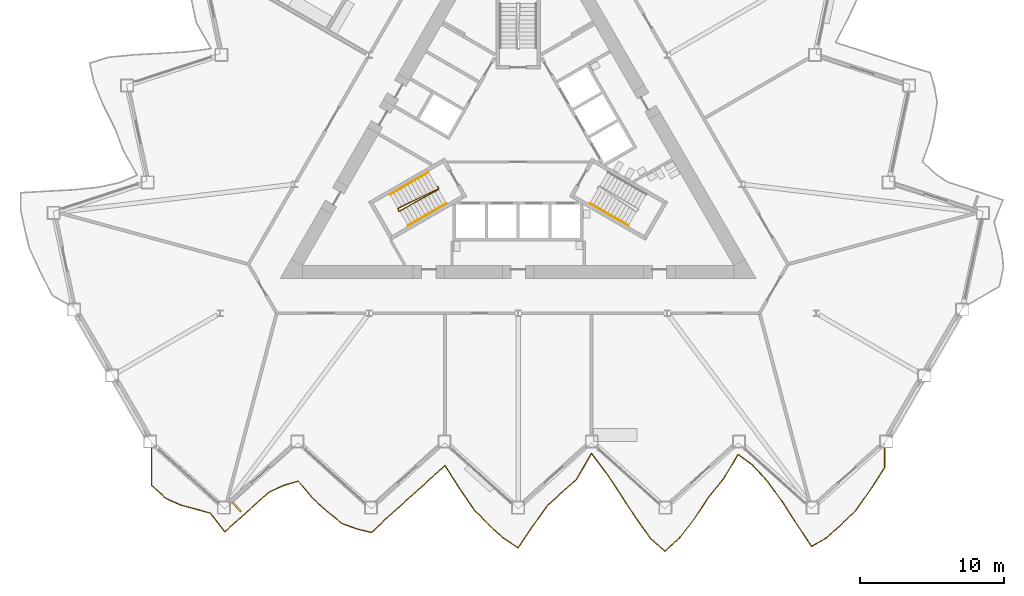
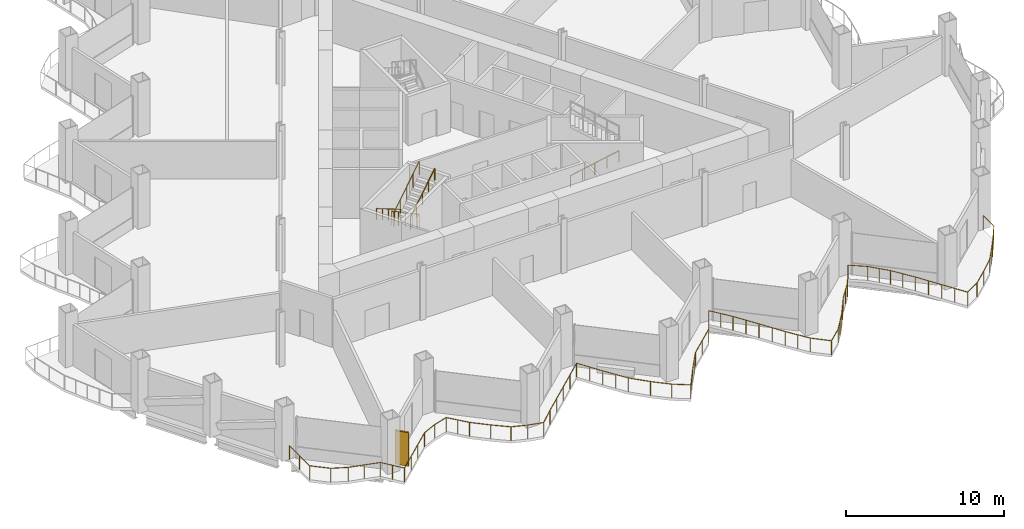
# One storey, part 17 of 21: 5 railings, 1 shading device.
"""IFC4 building model written with IfcOpenShell, lengths in metres."""

from ifc_helpers import new_model, si_unit, direction, frame, origin, origin_2d, place, context, subcontext, project, spatial, rectangle, circle, extrude, material, layer, layer_set, type_object, element, save


model = new_model("IFC4")

# Units and contexts
model_context = context("Model", 3, precision=1e-05, world=origin(), true_north=direction((0.0, 1.0)))
body_context = subcontext(model_context, "Body", "Model", "MODEL_VIEW")
ifc_project = project(units=[si_unit("LENGTHUNIT", "METRE"), si_unit("AREAUNIT", "SQUARE_METRE"), si_unit("VOLUMEUNIT", "CUBIC_METRE"), si_unit("PLANEANGLEUNIT", "RADIAN"), si_unit("MASSUNIT", "GRAM", prefix="KILO")], contexts=[model_context])

# Site, building, storey
site_placement = place(None, origin())
site = spatial("IfcSite", under=ifc_project, at=site_placement, CompositionType="ELEMENT")
building_placement = place(site_placement, origin())
building = spatial("IfcBuilding", under=site, at=building_placement, Name="Cormorant Prow Tower", CompositionType="ELEMENT")
storey_placement = place(building_placement, frame((0.0, 0.0, 145.800048828125)))
storey = spatial("IfcBuildingStorey", under=building, at=storey_placement, Name="L31", CompositionType="ELEMENT", Elevation=145.800048828125)

# Railings
ifc_material_1 = material(Name="Aluminium 6063-T6", Category="aluminium")
railing_type_1 = type_object("IfcRailingType", Name="Balcony guard 1100", PredefinedType="GUARDRAIL", material=ifc_material_1)
railing_1_placement = place(storey_placement, frame((-25.406982421875, -21.28173828125, 0.0)))
element("IfcRailing", 1, at=railing_1_placement, inside=storey, type_object=railing_type_1, Name="Balcony guard S", PredefinedType="GUARDRAIL", context=body_context, shape_type="SweptSolid", body=[
    extrude(circle(Radius=0.02392578125, at=origin_2d()), frame((0.0, 0.0, 1.076171875), z_axis=(0.0, -1.0, 0.0), x_axis=(1.0, 0.0, 0.0)), (0.0, 0.0, 1.0), 2.570068359375),
    extrude(circle(Radius=0.02392578125, at=origin_2d()), frame((0.0, -2.570068359375, 1.076171875), z_axis=(0.74309880159, -0.66918171753, 0.0), x_axis=(0.66918171753, 0.74309880159, 0.0)), (0.0, 0.0, 1.0), 1.367431640625),
    extrude(circle(Radius=0.02392578125, at=origin_2d()), frame((1.01611328125, -3.485107421875, 1.076171875), z_axis=(0.910800547714, -0.412846657107, 0.0), x_axis=(0.412846657107, 0.910800547714, 0.0)), (0.0, 0.0, 1.0), 1.115966796875),
    extrude(circle(Radius=0.02392578125, at=origin_2d()), frame((2.032470703125, -3.94580078125, 1.076171875), z_axis=(0.966688326901, -0.255956399867, 0.0), x_axis=(0.255956399867, 0.966688326901, 0.0)), (0.0, 0.0, 1.0), 1.051025390625),
    extrude(circle(Radius=0.02392578125, at=origin_2d()), frame((3.048583984375, -4.21484375, 1.076171875), z_axis=(0.963302113843, -0.268419517669, 0.0), x_axis=(0.268419517669, 0.963302113843, 0.0)), (0.0, 0.0, 1.0), 1.05517578125),
    extrude(circle(Radius=0.02392578125, at=origin_2d()), frame((4.06494140625, -4.498046875, 1.076171875), z_axis=(0.616767557599, -0.787145335941, 0.0), x_axis=(0.787145335941, 0.616767557599, 0.0)), (0.0, 0.0, 1.0), 1.64794921875),
    extrude(circle(Radius=0.02392578125, at=origin_2d()), frame((5.081298828125, -5.795166015625, 1.076171875), z_axis=(0.743267512423, 0.668994323576, 0.0), x_axis=(-0.668994323576, 0.743267512423, 0.0)), (0.0, 0.0, 1.0), 1.367431640625),
    extrude(circle(Radius=0.02392578125, at=origin_2d()), frame((6.09765625, -4.88037109375, 1.076171875), z_axis=(0.743010021575, 0.669280290938, 0.0), x_axis=(-0.669280290938, 0.743010021575, 0.0)), (0.0, 0.0, 1.0), 1.36767578125),
    extrude(circle(Radius=0.02392578125, at=origin_2d()), frame((7.11376953125, -3.965087890625, 1.076171875), z_axis=(0.743178738286, 0.66909294045, 0.0), x_axis=(-0.66909294045, 0.743178738286, 0.0)), (0.0, 0.0, 1.0), 1.36767578125),
    extrude(circle(Radius=0.02392578125, at=origin_2d()), frame((8.130126953125, -3.050048828125, 1.076171875), z_axis=(0.90956415091, 0.415563539522, 0.0), x_axis=(-0.415563539522, 0.90956415091, 0.0)), (0.0, 0.0, 1.0), 1.117431640625),
    extrude(circle(Radius=0.02392578125, at=origin_2d()), frame((9.146484375, -2.585693359375, 1.076171875), z_axis=(0.95874697123, 0.28426087518, 0.0), x_axis=(-0.28426087518, 0.95874697123, 0.0)), (0.0, 0.0, 1.0), 1.059814453125),
    extrude(circle(Radius=0.02392578125, at=origin_2d()), frame((10.16259765625, -2.284423828125, 1.076171875), z_axis=(0.646088329609, -0.763262648335, 0.0), x_axis=(0.763262648335, 0.646088329609, 0.0)), (0.0, 0.0, 1.0), 1.572998046875),
    extrude(circle(Radius=0.02392578125, at=origin_2d()), frame((11.178955078125, -3.485107421875, 1.076171875), z_axis=(0.743178738286, -0.66909294045, 0.0), x_axis=(0.66909294045, 0.743178738286, 0.0)), (0.0, 0.0, 1.0), 1.36767578125),
    extrude(circle(Radius=0.02392578125, at=origin_2d()), frame((12.1953125, -4.400146484375, 1.076171875), z_axis=(0.777340526848, -0.62908004683, 0.0), x_axis=(0.62908004683, 0.777340526848, 0.0)), (0.0, 0.0, 1.0), 1.307373046875),
    extrude(circle(Radius=0.02392578125, at=origin_2d()), frame((13.211669921875, -5.22265625, 1.076171875), z_axis=(0.939898875308, -0.341452931155, 0.0), x_axis=(0.341452931155, 0.939898875308, 0.0)), (0.0, 0.0, 1.0), 1.0810546875),
    extrude(circle(Radius=0.02392578125, at=origin_2d()), frame((14.227783203125, -5.591796875, 1.076171875), z_axis=(0.970347817748, -0.241712872209, 0.0), x_axis=(0.241712872209, 0.970347817748, 0.0)), (0.0, 0.0, 1.0), 1.04736328125),
    extrude(circle(Radius=0.02392578125, at=origin_2d()), frame((15.244140625, -5.844970703125, 1.076171875), z_axis=(0.725334306723, 0.688396792185, 0.0), x_axis=(-0.688396792185, 0.725334306723, 0.0)), (0.0, 0.0, 1.0), 1.401123046875),
    extrude(circle(Radius=0.02392578125, at=origin_2d()), frame((16.260498046875, -4.88037109375, 1.076171875), z_axis=(0.743010021575, 0.669280290938, 0.0), x_axis=(-0.669280290938, 0.743010021575, 0.0)), (0.0, 0.0, 1.0), 1.36767578125),
    extrude(circle(Radius=0.02392578125, at=origin_2d()), frame((17.276611328125, -3.965087890625, 1.076171875), z_axis=(0.743178738286, 0.66909294045, 0.0), x_axis=(-0.66909294045, 0.743178738286, 0.0)), (0.0, 0.0, 1.0), 1.36767578125),
    extrude(circle(Radius=0.02392578125, at=origin_2d()), frame((18.29296875, -3.050048828125, 1.076171875), z_axis=(0.743178738286, 0.66909294045, 0.0), x_axis=(-0.66909294045, 0.743178738286, 0.0)), (0.0, 0.0, 1.0), 1.36767578125),
    extrude(circle(Radius=0.02392578125, at=origin_2d()), frame((19.309326171875, -2.135009765625, 1.076171875), z_axis=(0.737690862184, 0.67513864639, 0.0), x_axis=(-0.67513864639, 0.737690862184, 0.0)), (0.0, 0.0, 1.0), 1.377685546875),
    extrude(circle(Radius=0.02392578125, at=origin_2d()), frame((20.32568359375, -1.204833984375, 1.076171875), z_axis=(0.541362265763, -0.840789448797, 0.0), x_axis=(0.840789448797, 0.541362265763, 0.0)), (0.0, 0.0, 1.0), 1.876953125),
    extrude(circle(Radius=0.02392578125, at=origin_2d()), frame((21.341796875, -2.782958984375, 1.076171875), z_axis=(0.5659747832, -0.824422552325, 0.0), x_axis=(0.824422552325, 0.5659747832, 0.0)), (0.0, 0.0, 1.0), 1.795654296875),
    extrude(circle(Radius=0.02392578125, at=origin_2d()), frame((22.358154296875, -4.263427734375, 1.076171875), z_axis=(0.694814948, -0.719188562226, 0.0), x_axis=(0.719188562226, 0.694814948, 0.0)), (0.0, 0.0, 1.0), 1.46240234375),
    extrude(circle(Radius=0.02392578125, at=origin_2d()), frame((23.374267578125, -5.315185546875, 1.076171875), z_axis=(0.743178738286, -0.66909294045, 0.0), x_axis=(0.66909294045, 0.743178738286, 0.0)), (0.0, 0.0, 1.0), 1.36767578125),
    extrude(circle(Radius=0.02392578125, at=origin_2d()), frame((24.390625, -6.230224609375, 1.076171875), z_axis=(0.830697075509, -0.556724679479, 0.0), x_axis=(0.556724679479, 0.830697075509, 0.0)), (0.0, 0.0, 1.0), 1.223388671875),
    extrude(circle(Radius=0.02392578125, at=origin_2d()), frame((25.406982421875, -6.911376953125, 1.076171875), z_axis=(0.557261507193, 0.83033704759, 0.0), x_axis=(-0.83033704759, 0.557261507193, 0.0)), (0.0, 0.0, 1.0), 1.82373046875),
    extrude(circle(Radius=0.02392578125, at=origin_2d()), frame((26.42333984375, -5.39697265625, 1.076171875), z_axis=(0.578815608852, 0.81545845446, 0.0), x_axis=(-0.81545845446, 0.578815608852, 0.0)), (0.0, 0.0, 1.0), 1.755859375),
    extrude(circle(Radius=0.02392578125, at=origin_2d()), frame((27.439697265625, -3.965087890625, 1.076171875), z_axis=(0.74309880159, 0.66918171753, 0.0), x_axis=(-0.66918171753, 0.74309880159, 0.0)), (0.0, 0.0, 1.0), 1.367431640625),
    extrude(circle(Radius=0.02392578125, at=origin_2d()), frame((28.455810546875, -3.050048828125, 1.076171875), z_axis=(0.743178738286, 0.66909294045, 0.0), x_axis=(-0.66909294045, 0.743178738286, 0.0)), (0.0, 0.0, 1.0), 1.36767578125),
    extrude(circle(Radius=0.02392578125, at=origin_2d()), frame((29.47216796875, -2.135009765625, 1.076171875), z_axis=(0.498950803008, 0.866630311135, 0.0), x_axis=(-0.866630311135, 0.498950803008, 0.0)), (0.0, 0.0, 1.0), 2.03662109375),
    extrude(circle(Radius=0.02392578125, at=origin_2d()), frame((30.48828125, -0.3701171875, 1.076171875), z_axis=(0.607867350829, -0.794038590874, 0.0), x_axis=(0.794038590874, 0.607867350829, 0.0)), (0.0, 0.0, 1.0), 1.672119140625),
    extrude(circle(Radius=0.02392578125, at=origin_2d()), frame((31.504638671875, -1.69775390625, 1.076171875), z_axis=(0.551974021557, -0.833861307128, 0.0), x_axis=(0.833861307128, 0.551974021557, 0.0)), (0.0, 0.0, 1.0), 1.84130859375),
    extrude(circle(Radius=0.02392578125, at=origin_2d()), frame((32.52099609375, -3.233154296875, 1.076171875), z_axis=(0.543890343135, -0.839156299294, 0.0), x_axis=(0.839156299294, 0.543890343135, 0.0)), (0.0, 0.0, 1.0), 1.86865234375),
    extrude(circle(Radius=0.02392578125, at=origin_2d()), frame((33.537353515625, -4.80126953125, 1.076171875), z_axis=(0.582614503828, -0.812748632683, 0.0), x_axis=(0.812748632683, 0.582614503828, 0.0)), (0.0, 0.0, 1.0), 1.744140625),
    extrude(circle(Radius=0.02392578125, at=origin_2d()), frame((34.553466796875, -6.21875, 1.076171875), z_axis=(0.73901562926, -0.673688280817, 0.0), x_axis=(0.673688280817, 0.73901562926, 0.0)), (0.0, 0.0, 1.0), 1.375244140625),
    extrude(circle(Radius=0.02392578125, at=origin_2d()), frame((35.56982421875, -7.145263671875, 1.076171875), z_axis=(0.743178738286, 0.66909294045, 0.0), x_axis=(-0.66909294045, 0.743178738286, 0.0)), (0.0, 0.0, 1.0), 1.36767578125),
    extrude(circle(Radius=0.02392578125, at=origin_2d()), frame((36.586181640625, -6.230224609375, 1.076171875), z_axis=(0.612380904836, 0.790562854802, 0.0), x_axis=(-0.790562854802, 0.612380904836, 0.0)), (0.0, 0.0, 1.0), 1.6591796875),
    extrude(circle(Radius=0.02392578125, at=origin_2d()), frame((37.602294921875, -4.91845703125, 1.076171875), z_axis=(0.547848443365, 0.836577601363, 0.0), x_axis=(-0.836577601363, 0.547848443365, 0.0)), (0.0, 0.0, 1.0), 1.855224609375),
    extrude(circle(Radius=0.02392578125, at=origin_2d()), frame((38.61865234375, -3.366455078125, 1.076171875), z_axis=(0.636537608326, 0.771245663318, 0.0), x_axis=(-0.771245663318, 0.636537608326, 0.0)), (0.0, 0.0, 1.0), 1.5966796875),
    extrude(circle(Radius=0.02392578125, at=origin_2d()), frame((39.635009765625, -2.135009765625, 1.076171875), z_axis=(0.511799383387, 0.859104994261, 0.0), x_axis=(-0.859104994261, 0.511799383387, 0.0)), (0.0, 0.0, 1.0), 1.98583984375),
    extrude(circle(Radius=0.02392578125, at=origin_2d()), frame((40.6513671875, -0.428955078125, 1.076171875), z_axis=(0.802076500161, -0.597221305622, 0.0), x_axis=(0.597221305622, 0.802076500161, 0.0)), (0.0, 0.0, 1.0), 1.266845703125),
    extrude(circle(Radius=0.02392578125, at=origin_2d()), frame((41.66748046875, -1.185546875, 1.076171875), z_axis=(0.675842243464, -0.73704630923, 0.0), x_axis=(0.73704630923, 0.675842243464, 0.0)), (0.0, 0.0, 1.0), 1.50390625),
    extrude(circle(Radius=0.02392578125, at=origin_2d()), frame((42.683837890625, -2.2939453125, 1.076171875), z_axis=(0.585901565641, -0.810382227951, 0.0), x_axis=(0.810382227951, 0.585901565641, 0.0)), (0.0, 0.0, 1.0), 1.734619140625),
    extrude(circle(Radius=0.02392578125, at=origin_2d()), frame((43.7001953125, -3.69970703125, 1.076171875), z_axis=(0.54457436519, -0.838712561476, 0.0), x_axis=(0.838712561476, 0.54457436519, 0.0)), (0.0, 0.0, 1.0), 1.865966796875),
    extrude(circle(Radius=0.02392578125, at=origin_2d()), frame((44.71630859375, -5.2646484375, 1.076171875), z_axis=(0.550512395997, -0.834826989174, 0.0), x_axis=(0.834826989174, 0.550512395997, 0.0)), (0.0, 0.0, 1.0), 1.84619140625),
    extrude(circle(Radius=0.02392578125, at=origin_2d()), frame((45.732666015625, -6.805908203125, 1.076171875), z_axis=(0.870114810567, 0.492849080787, 0.0), x_axis=(-0.492849080787, 0.870114810567, 0.0)), (0.0, 0.0, 1.0), 1.16796875),
    extrude(circle(Radius=0.02392578125, at=origin_2d()), frame((46.7490234375, -6.230224609375, 1.076171875), z_axis=(0.743178738286, 0.66909294045, 0.0), x_axis=(-0.66909294045, 0.743178738286, 0.0)), (0.0, 0.0, 1.0), 1.36767578125),
    extrude(circle(Radius=0.02392578125, at=origin_2d()), frame((47.765380859375, -5.315185546875, 1.076171875), z_axis=(0.724729830954, 0.68903314298, 0.0), x_axis=(-0.68903314298, 0.724729830954, 0.0)), (0.0, 0.0, 1.0), 1.402099609375),
    extrude(circle(Radius=0.02392578125, at=origin_2d()), frame((48.781494140625, -4.34912109375, 1.076171875), z_axis=(0.576590751508, 0.817033111493, 0.0), x_axis=(-0.817033111493, 0.576590751508, 0.0)), (0.0, 0.0, 1.0), 1.7626953125),
    extrude(circle(Radius=0.02392578125, at=origin_2d()), frame((49.7978515625, -2.908935546875, 1.076171875), z_axis=(0.542489022655, 0.840062890681, 0.0), x_axis=(-0.840062890681, 0.542489022655, 0.0)), (0.0, 0.0, 1.0), 1.873046875),
    extrude(circle(Radius=0.02392578125, at=origin_2d()), frame((50.81396484375, -1.33544921875, 1.076171875), z_axis=(0.0, 1.0, 0.0), x_axis=(-1.0, 0.0, 0.0)), (0.0, 0.0, 1.0), 1.33544921875),
    extrude(circle(Radius=0.02099609375, at=origin_2d()), origin(), (0.0, 0.0, 1.0), 1.052001953125),
    extrude(circle(Radius=0.02099609375, at=origin_2d()), frame((0.0, -1.28515625, 0.0)), (0.0, 0.0, 1.0), 1.052001953125),
    extrude(circle(Radius=0.02099609375, at=origin_2d()), frame((0.0, -2.570068359375, 0.0)), (0.0, 0.0, 1.0), 1.052001953125),
    extrude(circle(Radius=0.02099609375, at=origin_2d()), frame((1.01611328125, -3.485107421875, 0.0)), (0.0, 0.0, 1.0), 1.052001953125),
    extrude(circle(Radius=0.02099609375, at=origin_2d()), frame((2.032470703125, -3.94580078125, 0.0)), (0.0, 0.0, 1.0), 1.052001953125),
    extrude(circle(Radius=0.02099609375, at=origin_2d()), frame((3.048583984375, -4.21484375, 0.0)), (0.0, 0.0, 1.0), 1.052001953125),
    extrude(circle(Radius=0.02099609375, at=origin_2d()), frame((4.06494140625, -4.498046875, 0.0)), (0.0, 0.0, 1.0), 1.052001953125),
    extrude(circle(Radius=0.02099609375, at=origin_2d()), frame((4.5732421875, -5.146484375, 0.0)), (0.0, 0.0, 1.0), 1.052001953125),
    extrude(circle(Radius=0.02099609375, at=origin_2d()), frame((5.081298828125, -5.795166015625, 0.0)), (0.0, 0.0, 1.0), 1.052001953125),
    extrude(circle(Radius=0.02099609375, at=origin_2d()), frame((6.09765625, -4.88037109375, 0.0)), (0.0, 0.0, 1.0), 1.052001953125),
    extrude(circle(Radius=0.02099609375, at=origin_2d()), frame((7.11376953125, -3.965087890625, 0.0)), (0.0, 0.0, 1.0), 1.052001953125),
    extrude(circle(Radius=0.02099609375, at=origin_2d()), frame((8.130126953125, -3.050048828125, 0.0)), (0.0, 0.0, 1.0), 1.052001953125),
    extrude(circle(Radius=0.02099609375, at=origin_2d()), frame((9.146484375, -2.585693359375, 0.0)), (0.0, 0.0, 1.0), 1.052001953125),
    extrude(circle(Radius=0.02099609375, at=origin_2d()), frame((10.16259765625, -2.284423828125, 0.0)), (0.0, 0.0, 1.0), 1.052001953125),
    extrude(circle(Radius=0.02099609375, at=origin_2d()), frame((10.6708984375, -2.884765625, 0.0)), (0.0, 0.0, 1.0), 1.052001953125),
    extrude(circle(Radius=0.02099609375, at=origin_2d()), frame((11.178955078125, -3.485107421875, 0.0)), (0.0, 0.0, 1.0), 1.052001953125),
    extrude(circle(Radius=0.02099609375, at=origin_2d()), frame((12.1953125, -4.400146484375, 0.0)), (0.0, 0.0, 1.0), 1.052001953125),
    extrude(circle(Radius=0.02099609375, at=origin_2d()), frame((13.211669921875, -5.22265625, 0.0)), (0.0, 0.0, 1.0), 1.052001953125),
    extrude(circle(Radius=0.02099609375, at=origin_2d()), frame((14.227783203125, -5.591796875, 0.0)), (0.0, 0.0, 1.0), 1.052001953125),
    extrude(circle(Radius=0.02099609375, at=origin_2d()), frame((15.244140625, -5.844970703125, 0.0)), (0.0, 0.0, 1.0), 1.052001953125),
    extrude(circle(Radius=0.02099609375, at=origin_2d()), frame((16.260498046875, -4.88037109375, 0.0)), (0.0, 0.0, 1.0), 1.052001953125),
    extrude(circle(Radius=0.02099609375, at=origin_2d()), frame((17.276611328125, -3.965087890625, 0.0)), (0.0, 0.0, 1.0), 1.052001953125),
    extrude(circle(Radius=0.02099609375, at=origin_2d()), frame((18.29296875, -3.050048828125, 0.0)), (0.0, 0.0, 1.0), 1.052001953125),
    extrude(circle(Radius=0.02099609375, at=origin_2d()), frame((19.309326171875, -2.135009765625, 0.0)), (0.0, 0.0, 1.0), 1.052001953125),
    extrude(circle(Radius=0.02099609375, at=origin_2d()), frame((20.32568359375, -1.204833984375, 0.0)), (0.0, 0.0, 1.0), 1.052001953125),
    extrude(circle(Radius=0.02099609375, at=origin_2d()), frame((20.833740234375, -1.993896484375, 0.0)), (0.0, 0.0, 1.0), 1.052001953125),
    extrude(circle(Radius=0.02099609375, at=origin_2d()), frame((21.341796875, -2.782958984375, 0.0)), (0.0, 0.0, 1.0), 1.052001953125),
    extrude(circle(Radius=0.02099609375, at=origin_2d()), frame((21.85009765625, -3.523193359375, 0.0)), (0.0, 0.0, 1.0), 1.052001953125),
    extrude(circle(Radius=0.02099609375, at=origin_2d()), frame((22.358154296875, -4.263427734375, 0.0)), (0.0, 0.0, 1.0), 1.052001953125),
    extrude(circle(Radius=0.02099609375, at=origin_2d()), frame((23.374267578125, -5.315185546875, 0.0)), (0.0, 0.0, 1.0), 1.052001953125),
    extrude(circle(Radius=0.02099609375, at=origin_2d()), frame((24.390625, -6.230224609375, 0.0)), (0.0, 0.0, 1.0), 1.052001953125),
    extrude(circle(Radius=0.02099609375, at=origin_2d()), frame((25.406982421875, -6.911376953125, 0.0)), (0.0, 0.0, 1.0), 1.052001953125),
    extrude(circle(Radius=0.02099609375, at=origin_2d()), frame((25.9150390625, -6.154296875, 0.0)), (0.0, 0.0, 1.0), 1.052001953125),
    extrude(circle(Radius=0.02099609375, at=origin_2d()), frame((26.42333984375, -5.39697265625, 0.0)), (0.0, 0.0, 1.0), 1.052001953125),
    extrude(circle(Radius=0.02099609375, at=origin_2d()), frame((26.931640625, -4.68115234375, 0.0)), (0.0, 0.0, 1.0), 1.052001953125),
    extrude(circle(Radius=0.02099609375, at=origin_2d()), frame((27.439697265625, -3.965087890625, 0.0)), (0.0, 0.0, 1.0), 1.052001953125),
    extrude(circle(Radius=0.02099609375, at=origin_2d()), frame((28.455810546875, -3.050048828125, 0.0)), (0.0, 0.0, 1.0), 1.052001953125),
    extrude(circle(Radius=0.02099609375, at=origin_2d()), frame((29.47216796875, -2.135009765625, 0.0)), (0.0, 0.0, 1.0), 1.052001953125),
    extrude(circle(Radius=0.02099609375, at=origin_2d()), frame((29.980224609375, -1.25244140625, 0.0)), (0.0, 0.0, 1.0), 1.052001953125),
    extrude(circle(Radius=0.02099609375, at=origin_2d()), frame((30.48828125, -0.3701171875, 0.0)), (0.0, 0.0, 1.0), 1.052001953125),
    extrude(circle(Radius=0.02099609375, at=origin_2d()), frame((30.99658203125, -1.033935546875, 0.0)), (0.0, 0.0, 1.0), 1.052001953125),
    extrude(circle(Radius=0.02099609375, at=origin_2d()), frame((31.504638671875, -1.69775390625, 0.0)), (0.0, 0.0, 1.0), 1.052001953125),
    extrude(circle(Radius=0.02099609375, at=origin_2d()), frame((32.0126953125, -2.46533203125, 0.0)), (0.0, 0.0, 1.0), 1.052001953125),
    extrude(circle(Radius=0.02099609375, at=origin_2d()), frame((32.52099609375, -3.233154296875, 0.0)), (0.0, 0.0, 1.0), 1.052001953125),
    extrude(circle(Radius=0.02099609375, at=origin_2d()), frame((33.029296875, -4.01708984375, 0.0)), (0.0, 0.0, 1.0), 1.052001953125),
    extrude(circle(Radius=0.02099609375, at=origin_2d()), frame((33.537353515625, -4.80126953125, 0.0)), (0.0, 0.0, 1.0), 1.052001953125),
    extrude(circle(Radius=0.02099609375, at=origin_2d()), frame((34.04541015625, -5.510009765625, 0.0)), (0.0, 0.0, 1.0), 1.052001953125),
    extrude(circle(Radius=0.02099609375, at=origin_2d()), frame((34.553466796875, -6.21875, 0.0)), (0.0, 0.0, 1.0), 1.052001953125),
    extrude(circle(Radius=0.02099609375, at=origin_2d()), frame((35.56982421875, -7.145263671875, 0.0)), (0.0, 0.0, 1.0), 1.052001953125),
    extrude(circle(Radius=0.02099609375, at=origin_2d()), frame((36.586181640625, -6.230224609375, 0.0)), (0.0, 0.0, 1.0), 1.052001953125),
    extrude(circle(Radius=0.02099609375, at=origin_2d()), frame((37.09423828125, -5.57421875, 0.0)), (0.0, 0.0, 1.0), 1.052001953125),
    extrude(circle(Radius=0.02099609375, at=origin_2d()), frame((37.602294921875, -4.91845703125, 0.0)), (0.0, 0.0, 1.0), 1.052001953125),
    extrude(circle(Radius=0.02099609375, at=origin_2d()), frame((38.1103515625, -4.142578125, 0.0)), (0.0, 0.0, 1.0), 1.052001953125),
    extrude(circle(Radius=0.02099609375, at=origin_2d()), frame((38.61865234375, -3.366455078125, 0.0)), (0.0, 0.0, 1.0), 1.052001953125),
    extrude(circle(Radius=0.02099609375, at=origin_2d()), frame((39.126953125, -2.750732421875, 0.0)), (0.0, 0.0, 1.0), 1.052001953125),
    extrude(circle(Radius=0.02099609375, at=origin_2d()), frame((39.635009765625, -2.135009765625, 0.0)), (0.0, 0.0, 1.0), 1.052001953125),
    extrude(circle(Radius=0.02099609375, at=origin_2d()), frame((40.14306640625, -1.281982421875, 0.0)), (0.0, 0.0, 1.0), 1.052001953125),
    extrude(circle(Radius=0.02099609375, at=origin_2d()), frame((40.6513671875, -0.428955078125, 0.0)), (0.0, 0.0, 1.0), 1.052001953125),
    extrude(circle(Radius=0.02099609375, at=origin_2d()), frame((41.66748046875, -1.185546875, 0.0)), (0.0, 0.0, 1.0), 1.052001953125),
    extrude(circle(Radius=0.02099609375, at=origin_2d()), frame((42.17578125, -1.73974609375, 0.0)), (0.0, 0.0, 1.0), 1.052001953125),
    extrude(circle(Radius=0.02099609375, at=origin_2d()), frame((42.683837890625, -2.2939453125, 0.0)), (0.0, 0.0, 1.0), 1.052001953125),
    extrude(circle(Radius=0.02099609375, at=origin_2d()), frame((43.19189453125, -2.996826171875, 0.0)), (0.0, 0.0, 1.0), 1.052001953125),
    extrude(circle(Radius=0.02099609375, at=origin_2d()), frame((43.7001953125, -3.69970703125, 0.0)), (0.0, 0.0, 1.0), 1.052001953125),
    extrude(circle(Radius=0.02099609375, at=origin_2d()), frame((44.208251953125, -4.482177734375, 0.0)), (0.0, 0.0, 1.0), 1.052001953125),
    extrude(circle(Radius=0.02099609375, at=origin_2d()), frame((44.71630859375, -5.2646484375, 0.0)), (0.0, 0.0, 1.0), 1.052001953125),
    extrude(circle(Radius=0.02099609375, at=origin_2d()), frame((45.224609375, -6.03515625, 0.0)), (0.0, 0.0, 1.0), 1.052001953125),
    extrude(circle(Radius=0.02099609375, at=origin_2d()), frame((45.732666015625, -6.805908203125, 0.0)), (0.0, 0.0, 1.0), 1.052001953125),
    extrude(circle(Radius=0.02099609375, at=origin_2d()), frame((46.7490234375, -6.230224609375, 0.0)), (0.0, 0.0, 1.0), 1.052001953125),
    extrude(circle(Radius=0.02099609375, at=origin_2d()), frame((47.765380859375, -5.315185546875, 0.0)), (0.0, 0.0, 1.0), 1.052001953125),
    extrude(circle(Radius=0.02099609375, at=origin_2d()), frame((48.781494140625, -4.34912109375, 0.0)), (0.0, 0.0, 1.0), 1.052001953125),
    extrude(circle(Radius=0.02099609375, at=origin_2d()), frame((49.28955078125, -3.62890625, 0.0)), (0.0, 0.0, 1.0), 1.052001953125),
    extrude(circle(Radius=0.02099609375, at=origin_2d()), frame((49.7978515625, -2.908935546875, 0.0)), (0.0, 0.0, 1.0), 1.052001953125),
    extrude(circle(Radius=0.02099609375, at=origin_2d()), frame((50.305908203125, -2.1220703125, 0.0)), (0.0, 0.0, 1.0), 1.052001953125),
    extrude(circle(Radius=0.02099609375, at=origin_2d()), frame((50.81396484375, -1.33544921875, 0.0)), (0.0, 0.0, 1.0), 1.052001953125),
    extrude(circle(Radius=0.02099609375, at=origin_2d()), frame((50.81396484375, 0.0, 0.0)), (0.0, 0.0, 1.0), 1.052001953125),
])
ifc_material_2 = material(Name="Stainless steel", Category="steel")
railing_type_2 = type_object("IfcRailingType", Name="Stair guard 1100", PredefinedType="GUARDRAIL", material=ifc_material_2)
railing_2_placement = place(storey_placement, frame((-5.585205078125, -3.137939453125, 0.0)))
element("IfcRailing", 2, at=railing_2_placement, inside=storey, type_object=railing_type_2, Name="L31 ST1 stair guard 1", PredefinedType="GUARDRAIL", context=body_context, shape_type="SweptSolid", body=[
    extrude(circle(Radius=0.02392578125, at=origin_2d()), frame((0.0, 0.0, 1.076171875), z_axis=(0.501036270542, -0.865426285481, 0.0), x_axis=(0.865426285481, 0.501036270542, 0.0)), (0.0, 0.0, 1.0), 0.150146484375),
    extrude(circle(Radius=0.02392578125, at=origin_2d()), frame((0.0751953125, -0.1298828125, 1.076171875), z_axis=(-0.744670798681, -0.368745611333, 0.556320119817), x_axis=(0.443754251299, -0.896148516963, 0.0)), (0.0, 0.0, 1.0), 3.774658203125),
    extrude(circle(Radius=0.02392578125, at=origin_2d()), frame((-2.735595703125, -1.521728515625, 3.17578125), z_axis=(0.274721127897, -0.961523947641, 0.0), x_axis=(0.961523947641, 0.274721127897, 0.0)), (0.0, 0.0, 1.0), 0.2060546875),
    extrude(circle(Radius=0.02392578125, at=origin_2d()), frame((-2.678955078125, -1.719970703125, 3.17578125), z_axis=(0.725738344322, 0.403670096391, 0.557094524171), x_axis=(-0.486086505765, 0.873910698477, 0.0)), (0.0, 0.0, 1.0), 3.769775390625),
    extrude(circle(Radius=0.02099609375, at=origin_2d()), origin(), (0.0, 0.0, 1.0), 1.052001953125),
    extrude(circle(Radius=0.02099609375, at=origin_2d()), frame((0.0751953125, -0.1298828125, 0.0)), (0.0, 0.0, 1.0), 1.052001953125),
    extrude(circle(Radius=0.02099609375, at=origin_2d()), frame((-0.62744140625, -0.477783203125, 0.52490234375)), (0.0, 0.0, 1.0), 1.052001953125),
    extrude(circle(Radius=0.02099609375, at=origin_2d()), frame((-1.330078125, -0.82568359375, 1.0498046875)), (0.0, 0.0, 1.0), 1.052001953125),
    extrude(circle(Radius=0.02099609375, at=origin_2d()), frame((-2.032958984375, -1.173828125, 1.574951171875)), (0.0, 0.0, 1.0), 1.052001953125),
    extrude(circle(Radius=0.02099609375, at=origin_2d()), frame((-2.735595703125, -1.521728515625, 2.099853515625)), (0.0, 0.0, 1.0), 1.052001953125),
    extrude(circle(Radius=0.02099609375, at=origin_2d()), frame((-2.678955078125, -1.719970703125, 2.099853515625)), (0.0, 0.0, 1.0), 1.052001953125),
    extrude(circle(Radius=0.02099609375, at=origin_2d()), frame((-1.9951171875, -1.339599609375, 2.625)), (0.0, 0.0, 1.0), 1.052001953125),
    extrude(circle(Radius=0.02099609375, at=origin_2d()), frame((-1.31103515625, -0.958984375, 3.14990234375)), (0.0, 0.0, 1.0), 1.052001953125),
    extrude(circle(Radius=0.02099609375, at=origin_2d()), frame((-0.626953125, -0.57861328125, 3.6748046875)), (0.0, 0.0, 1.0), 1.052001953125),
    extrude(circle(Radius=0.02099609375, at=origin_2d()), frame((0.056884765625, -0.1982421875, 4.199951171875)), (0.0, 0.0, 1.0), 1.052001953125),
])
ifc_material_3 = material(Name="Stainless steel", Category="steel")
railing_type_3 = type_object("IfcRailingType", Name="Stair handrail 900", PredefinedType="HANDRAIL", material=ifc_material_3)
railing_3_placement = place(storey_placement, frame((-6.212890625, -2.150634765625, 0.175048828125)))
element("IfcRailing", 3, at=railing_3_placement, inside=storey, type_object=railing_type_3, Name="L31 ST1 stair handrail 1", PredefinedType="HANDRAIL", context=body_context, shape_type="SweptSolid", body=[
    extrude(circle(Radius=0.02392578125, at=origin_2d()), frame((0.0, 0.0, 0.8759765625), z_axis=(-0.734421155904, -0.424009578203, 0.529944755001), x_axis=(0.499992328818, -0.866029832698, 0.0)), (0.0, 0.0, 1.0), 3.632080078125),
    extrude(circle(Radius=0.02099609375, at=origin_2d()), origin(), (0.0, 0.0, 1.0), 0.851806640625),
    extrude(circle(Radius=0.02099609375, at=origin_2d()), frame((-0.6669921875, -0.385009765625, 0.481201171875)), (0.0, 0.0, 1.0), 0.851806640625),
    extrude(circle(Radius=0.02099609375, at=origin_2d()), frame((-1.333740234375, -0.77001953125, 0.96240234375)), (0.0, 0.0, 1.0), 0.851806640625),
    extrude(circle(Radius=0.02099609375, at=origin_2d()), frame((-2.00048828125, -1.155029296875, 1.443603515625)), (0.0, 0.0, 1.0), 0.851806640625),
    extrude(circle(Radius=0.02099609375, at=origin_2d()), frame((-2.66748046875, -1.5400390625, 1.9248046875)), (0.0, 0.0, 1.0), 0.851806640625),
])
railing_4_placement = place(storey_placement, frame((-7.63623046875, -5.84521484375, 2.27490234375)))
element("IfcRailing", 4, at=railing_4_placement, inside=storey, type_object=railing_type_3, Name="L31 ST1 stair handrail 2", PredefinedType="HANDRAIL", context=body_context, shape_type="SweptSolid", body=[
    extrude(circle(Radius=0.02392578125, at=origin_2d()), frame((0.0, 0.0, 0.8759765625), z_axis=(0.734364028329, 0.424015404183, 0.530019255228), x_axis=(-0.500026652407, 0.866010015463, 0.0)), (0.0, 0.0, 1.0), 3.632080078125),
    extrude(circle(Radius=0.02099609375, at=origin_2d()), origin(), (0.0, 0.0, 1.0), 0.851806640625),
    extrude(circle(Radius=0.02099609375, at=origin_2d()), frame((0.666748046875, 0.385009765625, 0.481201171875)), (0.0, 0.0, 1.0), 0.851806640625),
    extrude(circle(Radius=0.02099609375, at=origin_2d()), frame((1.33349609375, 0.77001953125, 0.96240234375)), (0.0, 0.0, 1.0), 0.851806640625),
    extrude(circle(Radius=0.02099609375, at=origin_2d()), frame((2.00048828125, 1.155029296875, 1.44384765625)), (0.0, 0.0, 1.0), 0.851806640625),
    extrude(circle(Radius=0.02099609375, at=origin_2d()), frame((2.667236328125, 1.5400390625, 1.925048828125)), (0.0, 0.0, 1.0), 0.851806640625),
])
railing_5_placement = place(storey_placement, frame((4.968994140625, -4.30517578125, 0.175048828125)))
element("IfcRailing", 5, at=railing_5_placement, inside=storey, type_object=railing_type_3, Name="L31 ST2 stair handrail 1", PredefinedType="HANDRAIL", context=body_context, shape_type="SweptSolid", body=[
    extrude(circle(Radius=0.02392578125, at=origin_2d()), frame((0.0, 0.0, 0.8759765625), z_axis=(0.734390191396, -0.42403051051, 0.529970917068), x_axis=(0.500026652407, 0.866010015463, 0.0)), (0.0, 0.0, 1.0), 3.6318359375),
    extrude(circle(Radius=0.02099609375, at=origin_2d()), origin(), (0.0, 0.0, 1.0), 0.851806640625),
    extrude(circle(Radius=0.02099609375, at=origin_2d()), frame((0.666748046875, -0.385009765625, 0.481201171875)), (0.0, 0.0, 1.0), 0.851806640625),
    extrude(circle(Radius=0.02099609375, at=origin_2d()), frame((1.33349609375, -0.77001953125, 0.96240234375)), (0.0, 0.0, 1.0), 0.851806640625),
    extrude(circle(Radius=0.02099609375, at=origin_2d()), frame((2.00048828125, -1.155029296875, 1.443603515625)), (0.0, 0.0, 1.0), 0.851806640625),
    extrude(circle(Radius=0.02099609375, at=origin_2d()), frame((2.667236328125, -1.5400390625, 1.9248046875)), (0.0, 0.0, 1.0), 0.851806640625),
])

# Shading device
ifc_material_4 = material(Name="Terracotta", Category="masonry")
ifc_layer = layer(ifc_material_4, 0.1201171875)
ifc_layer_set = layer_set([ifc_layer], Name="Terracotta")
shading_device_type = type_object("IfcShadingDeviceType", Name="Terracotta baguette fin 120x900x2600", PredefinedType="USERDEFINED", material=ifc_layer_set)
shading_device_placement = place(storey_placement, frame((-19.50732421875, -25.345703125, 0.0), z_axis=(0.0, 0.0, 1.0), x_axis=(0.743144877867, 0.669130548174, 0.0)))
element("IfcShadingDevice", 6, at=shading_device_placement, inside=storey, type_object=shading_device_type, Name="Baguette fin S01", ObjectType="BAGUETTE", PredefinedType="USERDEFINED", context=body_context, shape_type="SweptSolid", body=[
    extrude(rectangle(XDim=0.1201171875, YDim=0.89990234375, at=origin_2d()), origin(), (0.0, 0.0, 1.0), 2.60009765625),
])

save(model, "model.ifc")
